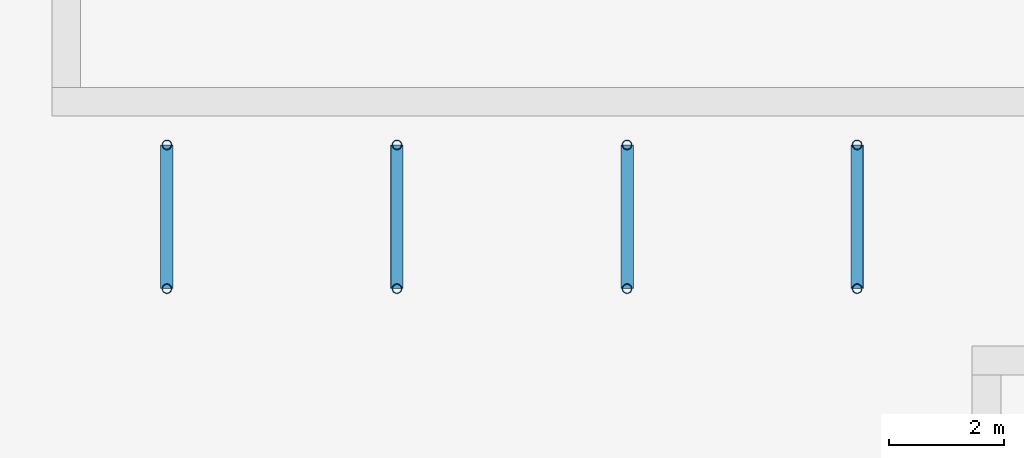
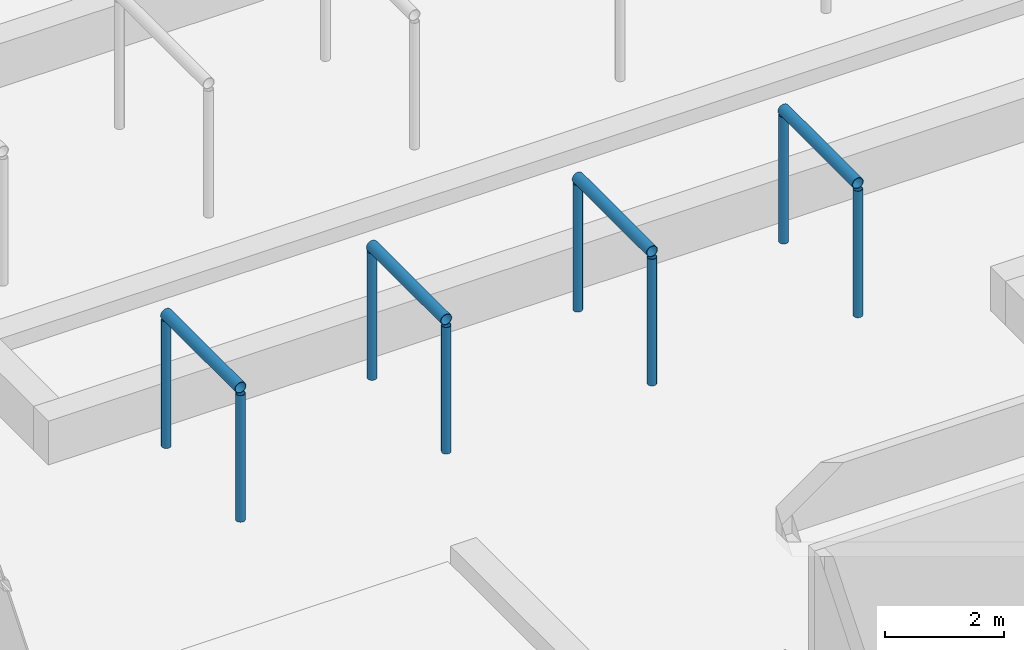
# One storey, part 12 of 34: 12 members.
"""IFC4 building model written with IfcOpenShell, lengths in metres."""

from ifc_helpers import new_model, si_unit, direction, frame, origin, origin_2d, place, context, subcontext, project, spatial, hollow_circle, extrude, material, material_profile, profile_set, type_object, element, save


model = new_model("IFC4")

# Units and contexts
model_context = context("Model", 3, precision=1e-05, world=origin(), true_north=direction((0.0, 1.0)))
body_context = subcontext(model_context, "Body", "Model", "MODEL_VIEW")
ifc_project = project(units=[si_unit("LENGTHUNIT", "METRE"), si_unit("AREAUNIT", "SQUARE_METRE"), si_unit("VOLUMEUNIT", "CUBIC_METRE"), si_unit("PLANEANGLEUNIT", "RADIAN"), si_unit("MASSUNIT", "GRAM", prefix="KILO")], contexts=[model_context])

# Site, building, storey
site_placement = place(None, origin())
site = spatial("IfcSite", under=ifc_project, at=site_placement, CompositionType="ELEMENT")
building_placement = place(site_placement, origin())
building = spatial("IfcBuilding", under=site, at=building_placement, Name="Amberfall Residences", CompositionType="ELEMENT")
storey_placement = place(building_placement, frame((0.0, 0.0, 5.5)))
storey = spatial("IfcBuildingStorey", under=building, at=storey_placement, Name="L01", CompositionType="ELEMENT", Elevation=5.5)

# Members
ifc_material = material(Name="Steel S355", Category="steel")
ifc_material_profile_1 = material_profile(ifc_material, hollow_circle(Radius=0.109619140625, WallThickness=0.010009765625, at=origin_2d()), Name="CHS 219.1x10")
ifc_profile_set_1 = profile_set([ifc_material_profile_1], Name="Steel S355")
member_type_1 = type_object("IfcMemberType", Name="Pergola beam CHS 219.1x10", PredefinedType="STRUT", material=ifc_profile_set_1)
for number, where, z_axis, x_axis, name in (
    (1, (106.0, 65.0, 2.70947265625), (0.0, 1.0, 0.0), (-1.0, 0.0, 0.0), "Pergola beam D1"),
    (2, (110.0, 65.0, 2.70947265625), (0.0, 1.0, 0.0), (-1.0, 0.0, 0.0), "Pergola beam D2"),
    (3, (114.0, 65.0, 2.70947265625), (0.0, 1.0, 0.0), (-1.0, 0.0, 0.0), "Pergola beam D3"),
    (4, (118.0, 65.0, 2.70947265625), (0.0, 1.0, 0.0), (-1.0, 0.0, 0.0), "Pergola beam D4"),
):
    element("IfcMember", number, at=place(storey_placement, frame(where, z_axis=z_axis, x_axis=x_axis)), inside=storey, type_object=member_type_1, Name=name, PredefinedType="STRUT", context=body_context, shape_type="SweptSolid", body=[
        extrude(hollow_circle(Radius=0.109619140625, WallThickness=0.010009765625, at=origin_2d()), origin(), (0.0, 0.0, 1.0), 2.5),
    ])
ifc_material_profile_2 = material_profile(ifc_material, hollow_circle(Radius=0.084228515625, WallThickness=0.008056640625, at=origin_2d()), Name="CHS 168.3x8")
ifc_profile_set_2 = profile_set([ifc_material_profile_2], Name="Steel S355")
member_type_2 = type_object("IfcMemberType", Name="Pergola post CHS 168.3x8", PredefinedType="POST", material=ifc_profile_set_2)
for number, where, z_axis, x_axis, name in (
    (5, (106.0, 65.0, 0.0), (0.0, 0.0, 1.0), (1.0, 0.0, 0.0), "Pergola post D1"),
    (6, (106.0, 67.5, 0.0), (0.0, 0.0, 1.0), (1.0, 0.0, 0.0), "Pergola post D1"),
    (7, (110.0, 65.0, 0.0), (0.0, 0.0, 1.0), (1.0, 0.0, 0.0), "Pergola post D2"),
    (8, (110.0, 67.5, 0.0), (0.0, 0.0, 1.0), (1.0, 0.0, 0.0), "Pergola post D2"),
    (9, (114.0, 65.0, 0.0), (0.0, 0.0, 1.0), (1.0, 0.0, 0.0), "Pergola post D3"),
    (10, (114.0, 67.5, 0.0), (0.0, 0.0, 1.0), (1.0, 0.0, 0.0), "Pergola post D3"),
    (11, (118.0, 65.0, 0.0), (0.0, 0.0, 1.0), (1.0, 0.0, 0.0), "Pergola post D4"),
    (12, (118.0, 67.5, 0.0), (0.0, 0.0, 1.0), (1.0, 0.0, 0.0), "Pergola post D4"),
):
    element("IfcMember", number, at=place(storey_placement, frame(where, z_axis=z_axis, x_axis=x_axis)), inside=storey, type_object=member_type_2, Name=name, PredefinedType="POST", context=body_context, shape_type="SweptSolid", body=[
        extrude(hollow_circle(Radius=0.084228515625, WallThickness=0.008056640625, at=origin_2d()), origin(), (0.0, 0.0, 1.0), 2.60009765625),
    ])

save(model, "model.ifc")
